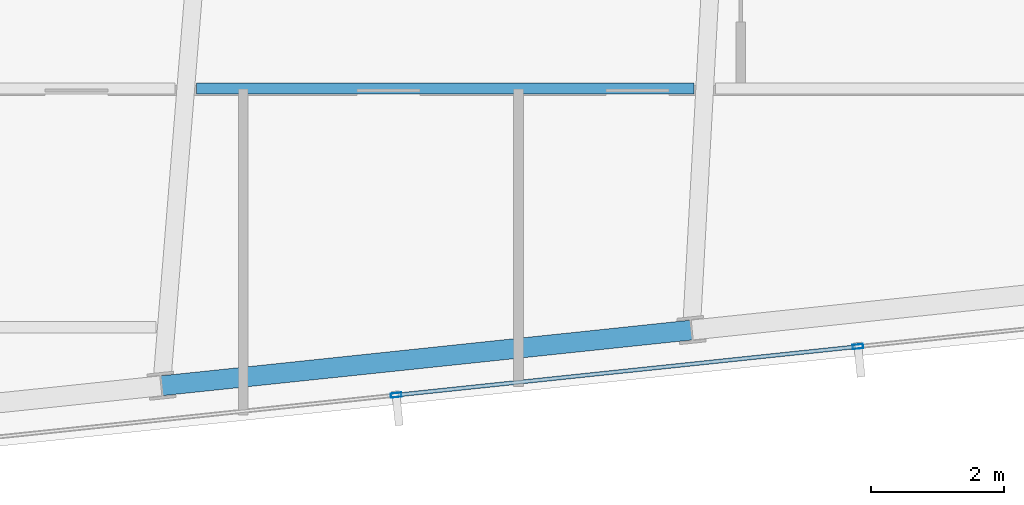
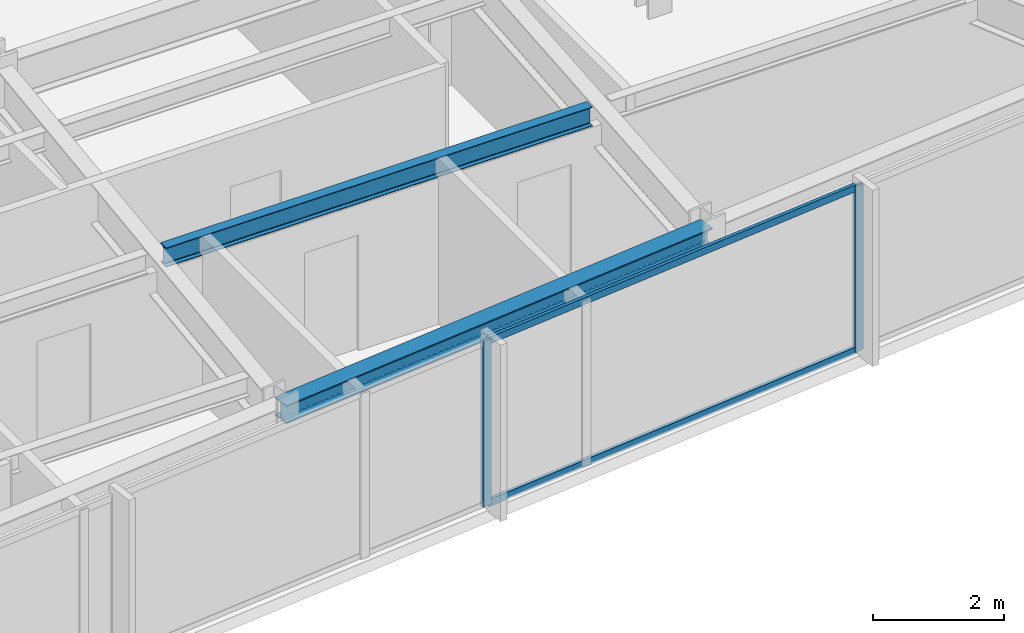
# One storey, part 14 of 32: 4 members, 2 beams, 1 element without a shape of its own.
"""IFC4 building model written with IfcOpenShell, lengths in metres."""

from ifc_helpers import new_model, si_unit, direction, frame, origin, origin_2d, place, context, subcontext, project, spatial, hollow_rectangle, i_section, extrude, material, material_profile, profile_set, type_object, element, aggregate, save


model = new_model("IFC4")

# Units and contexts
model_context = context("Model", 3, precision=1e-05, world=origin(), true_north=direction((0.0, 1.0)))
body_context = subcontext(model_context, "Body", "Model", "MODEL_VIEW")
ifc_project = project(units=[si_unit("LENGTHUNIT", "METRE"), si_unit("AREAUNIT", "SQUARE_METRE"), si_unit("VOLUMEUNIT", "CUBIC_METRE"), si_unit("PLANEANGLEUNIT", "RADIAN"), si_unit("MASSUNIT", "GRAM", prefix="KILO")], contexts=[model_context])

# Site, building, storey
site_placement = place(None, origin())
site = spatial("IfcSite", under=ifc_project, at=site_placement, CompositionType="ELEMENT")
building_placement = place(site_placement, origin())
building = spatial("IfcBuilding", under=site, at=building_placement, Name="Yelkora Congress Tower", CompositionType="ELEMENT")
storey_placement = place(building_placement, frame((0.0, 0.0, 217.699951171875)))
storey = spatial("IfcBuildingStorey", under=building, at=storey_placement, Name="L60", CompositionType="ELEMENT", Elevation=217.699951171875)

# Beams
ifc_material_1 = material(Name="Steel S355J2", Category="steel")
ifc_material_profile_1 = material_profile(ifc_material_1, i_section(OverallWidth=0.169921875, OverallDepth=0.360107421875, WebThickness=0.008056640625, FlangeThickness=0.0126953125, FilletRadius=0.01806640625, at=origin_2d()), Name="IPE 360")
ifc_profile_set_1 = profile_set([ifc_material_profile_1], Name="Steel S355J2")
beam_type_1 = type_object("IfcBeamType", Name="BM-JOIST-IPE360", PredefinedType="JOIST", material=ifc_profile_set_1)
beam_1_placement = place(storey_placement, frame((45.791259765625, 19.678466796875, 2.900146484375), z_axis=(1.0, 0.0, 0.0), x_axis=(0.0, 1.0, 0.0)))
element("IfcBeam", 1, at=beam_1_placement, inside=storey, type_object=beam_type_1, Name="L60 Composite Floor Joist 6", PredefinedType="JOIST", context=body_context, shape_type="SweptSolid", body=[
    extrude(i_section(OverallWidth=0.169921875, OverallDepth=0.360107421875, WebThickness=0.008056640625, FlangeThickness=0.0126953125, FilletRadius=0.01806640625, at=origin_2d()), origin(), (0.0, 0.0, 1.0), 7.505126953125),
])
ifc_material_profile_2 = material_profile(ifc_material_1, i_section(OverallWidth=0.300048828125, OverallDepth=0.340087890625, WebThickness=0.011962890625, FlangeThickness=0.021484375, FilletRadius=0.027099609375, at=origin_2d()), Name="HEB 340")
ifc_profile_set_2 = profile_set([ifc_material_profile_2], Name="Steel S355J2")
beam_type_2 = type_object("IfcBeamType", Name="BM-SPAN-HEB340", PredefinedType="SPANDREL", material=ifc_profile_set_2)
beam_2_placement = place(storey_placement, frame((45.26708984375, 15.197509765625, 2.91015625), z_axis=(0.994520097542, 0.104545567032, 0.0), x_axis=(-0.104545567032, 0.994520097542, 0.0)))
element("IfcBeam", 2, at=beam_2_placement, inside=storey, type_object=beam_type_2, Name="L60 Perimeter Beam 6", PredefinedType="SPANDREL", context=body_context, shape_type="SweptSolid", body=[
    extrude(i_section(OverallWidth=0.300048828125, OverallDepth=0.340087890625, WebThickness=0.011962890625, FlangeThickness=0.021484375, FilletRadius=0.027099609375, at=origin_2d()), origin(), (0.0, 0.0, 1.0), 8.033203125),
])

# Curtain wall, members
ifc_material_2 = material(Name="Anodised aluminium and insulated glass", Category="aluminium")
curtain_wall_type = type_object("IfcCurtainWallType", Name="CW-SYS-B4", PredefinedType="NOTDEFINED", material=ifc_material_2)
curtain_wall_placement = place(storey_placement, origin())
curtain_wall = element("IfcCurtainWall", 3, at=curtain_wall_placement, inside=storey, type_object=curtain_wall_type, Name="L60 Unitised Curtain Wall 20", PredefinedType="NOTDEFINED")
ifc_material_3 = material(Name="Anodised aluminium 6063-T6", Category="aluminium")
ifc_material_profile_3 = material_profile(ifc_material_3, hollow_rectangle(XDim=0.06494140625, YDim=0.159912109375, WallThickness=0.00390625, at=origin_2d()), Name="ALU 65x160x4")
ifc_profile_set_3 = profile_set([ifc_material_profile_3], Name="Anodised aluminium 6063-T6")
member_type_1 = type_object("IfcMemberType", Name="MEM-ML-B4", PredefinedType="MULLION", material=ifc_profile_set_3)
member_1_placement = place(storey_placement, frame((55.76708984375, 15.788330078125, 0.0), z_axis=(0.0, 0.0, 1.0), x_axis=(0.104526664994, -0.994522084373, 0.0)))
member_1 = element("IfcMember", 4, at=member_1_placement, type_object=member_type_1, Name="CW-B4 mullion 3", PredefinedType="MULLION", context=body_context, shape_type="SweptSolid", body=[
    extrude(hollow_rectangle(XDim=0.06494140625, YDim=0.159912109375, WallThickness=0.00390625, at=origin_2d()), origin(), (0.0, 0.0, 1.0), 3.080078125),
])
member_2_placement = place(storey_placement, frame((48.802490234375, 15.056396484375, 0.0), z_axis=(0.0, 0.0, 1.0), x_axis=(0.104526664994, -0.994522084373, 0.0)))
member_2 = element("IfcMember", 5, at=member_2_placement, type_object=member_type_1, Name="CW-B4 mullion 4", PredefinedType="MULLION", context=body_context, shape_type="SweptSolid", body=[
    extrude(hollow_rectangle(XDim=0.06494140625, YDim=0.159912109375, WallThickness=0.00390625, at=origin_2d()), origin(), (0.0, 0.0, 1.0), 3.080078125),
])
ifc_material_profile_4 = material_profile(ifc_material_3, hollow_rectangle(XDim=0.06005859375, YDim=0.1298828125, WallThickness=0.00390625, at=origin_2d()), Name="ALU 60x130x4")
ifc_profile_set_4 = profile_set([ifc_material_profile_4], Name="Anodised aluminium 6063-T6")
member_type_2 = type_object("IfcMemberType", Name="MEM-TR-B4", PredefinedType="USERDEFINED", material=ifc_profile_set_4)
member_3_placement = place(storey_placement, frame((55.73486328125, 15.784912109375, 0.030029296875), z_axis=(-0.99452356298, -0.104512595784, 0.0), x_axis=(0.104512595784, -0.99452356298, 0.0)))
member_3 = element("IfcMember", 6, at=member_3_placement, type_object=member_type_2, Name="CW-B4 transom 3.1", ObjectType="TRANSOM", PredefinedType="USERDEFINED", context=body_context, shape_type="SweptSolid", body=[
    extrude(hollow_rectangle(XDim=0.06005859375, YDim=0.1298828125, WallThickness=0.00390625, at=origin_2d()), origin(), (0.0, 0.0, 1.0), 6.93798828125),
])
member_4_placement = place(storey_placement, frame((55.73486328125, 15.784912109375, 3.050048828125), z_axis=(-0.99452356298, -0.104512595784, 0.0), x_axis=(0.104512595784, -0.99452356298, 0.0)))
member_4 = element("IfcMember", 7, at=member_4_placement, type_object=member_type_2, Name="CW-B4 transom 3.2", ObjectType="TRANSOM", PredefinedType="USERDEFINED", context=body_context, shape_type="SweptSolid", body=[
    extrude(hollow_rectangle(XDim=0.06005859375, YDim=0.1298828125, WallThickness=0.00390625, at=origin_2d()), origin(), (0.0, 0.0, 1.0), 6.93798828125),
])
aggregate(curtain_wall, [member_1, member_2, member_3, member_4])

save(model, "model.ifc")
